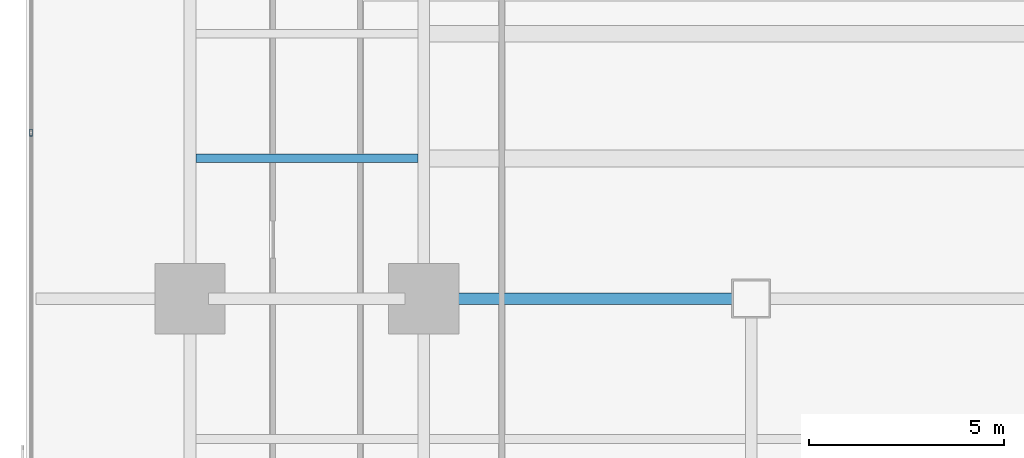
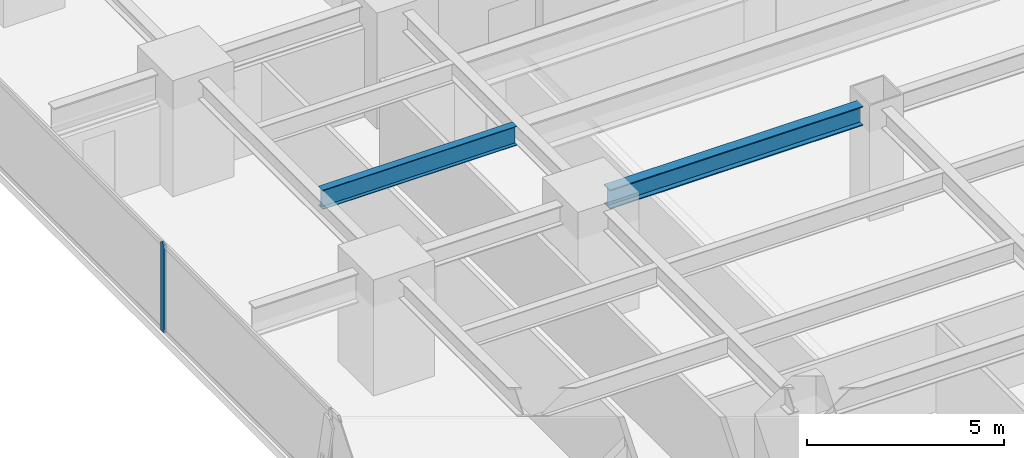
# One storey, part 9 of 33: 2 beams, 1 member, 1 element without a shape of its own.
"""IFC4 building model written with IfcOpenShell, lengths in metres."""

from ifc_helpers import new_model, si_unit, direction, frame, origin, origin_2d, place, context, subcontext, project, spatial, hollow_rectangle, i_section, extrude, source, transform, mapped, material, layer, layer_set, material_profile, profile_set, type_object, element, aggregate, save


model = new_model("IFC4")

# Units and contexts
model_context = context("Model", 3, precision=1e-05, world=origin(), true_north=direction((0.0, 1.0)))
body_context = subcontext(model_context, "Body", "Model", "MODEL_VIEW")
ifc_project = project(units=[si_unit("LENGTHUNIT", "METRE"), si_unit("AREAUNIT", "SQUARE_METRE"), si_unit("VOLUMEUNIT", "CUBIC_METRE"), si_unit("PLANEANGLEUNIT", "RADIAN"), si_unit("MASSUNIT", "GRAM", prefix="KILO")], contexts=[model_context])

# Site, building, storey
site_placement = place(None, origin())
site = spatial("IfcSite", under=ifc_project, at=site_placement, CompositionType="ELEMENT")
building_placement = place(site_placement, origin())
building = spatial("IfcBuilding", under=site, at=building_placement, Name="Sumidabori Civic Tower", CompositionType="ELEMENT")
storey_placement = place(building_placement, frame((0.0, 0.0, 38.0)))
storey = spatial("IfcBuildingStorey", under=building, at=storey_placement, Name="L09", CompositionType="ELEMENT", Elevation=38.0)

# Beams
ifc_material_1 = material(Name="Steel SN490", Category="steel")
ifc_material_profile_1 = material_profile(ifc_material_1, i_section(OverallWidth=0.300048828125, OverallDepth=0.60009765625, WebThickness=0.015380859375, FlangeThickness=0.030029296875, at=origin_2d()), Name="HE 600 B")
ifc_profile_set_1 = profile_set([ifc_material_profile_1], Name="Steel SN490")
beam_type_1 = type_object("IfcBeamType", Name="BM-GIRD-600", PredefinedType="BEAM", material=ifc_profile_set_1)
shared_shape_1 = source(origin(), body_context, "Body", "SweptSolid", [
    extrude(i_section(OverallWidth=0.300048828125, OverallDepth=0.60009765625, WebThickness=0.015380859375, FlangeThickness=0.030029296875, at=origin_2d()), origin(), (0.0, 0.0, 1.0), 7.440185546875),
])
beam_1_placement = place(storey_placement, frame((-16.320068359375, 0.0, 3.06005859375), z_axis=(1.0, 0.0, 0.0), x_axis=(0.0, 1.0, 0.0)))
element("IfcBeam", 1, at=beam_1_placement, inside=storey, type_object=beam_type_1, Name="Primary Girder L09 GX-14", PredefinedType="BEAM", context=body_context, shape_type="MappedRepresentation", body=[
    mapped(shared_shape_1, transform((0.0, 0.0, 0.0), x_axis=(1.0, 0.0, 0.0), y_axis=(0.0, 1.0, 0.0), z_axis=(0.0, 0.0, 1.0), scale=1.0)),
])
ifc_material_profile_2 = material_profile(ifc_material_1, i_section(OverallWidth=0.219970703125, OverallDepth=0.60009765625, WebThickness=0.011962890625, FlangeThickness=0.01904296875, at=origin_2d()), Name="IPE 600")
ifc_profile_set_2 = profile_set([ifc_material_profile_2], Name="Steel SN490")
beam_type_2 = type_object("IfcBeamType", Name="BM-JST-600", PredefinedType="JOIST", material=ifc_profile_set_2)
shared_shape_2 = source(origin(), body_context, "Body", "SweptSolid", [
    extrude(i_section(OverallWidth=0.219970703125, OverallDepth=0.60009765625, WebThickness=0.011962890625, FlangeThickness=0.01904296875, at=origin_2d()), origin(), (0.0, 0.0, 1.0), 5.699951171875),
])
beam_2_placement = place(storey_placement, frame((-22.64990234375, 3.60009765625, 3.06005859375), z_axis=(1.0, 0.0, 0.0), x_axis=(0.0, 1.0, 0.0)))
element("IfcBeam", 2, at=beam_2_placement, inside=storey, type_object=beam_type_2, Name="Outer Bay Floor Joist L09 JSTO-53", PredefinedType="JOIST", context=body_context, shape_type="MappedRepresentation", body=[
    mapped(shared_shape_2, transform((0.0, 0.0, 0.0), x_axis=(1.0, 0.0, 0.0), y_axis=(0.0, 1.0, 0.0), z_axis=(0.0, 0.0, 1.0), scale=1.0)),
])

# Curtain wall, member
ifc_material_2 = material(Name="Anodised Bronze Aluminium AW-6063-T6", Category="aluminium")
ifc_layer = layer(ifc_material_2, 0.179931640625, Name="Anodised Bronze Aluminium AW-6063-T6")
ifc_layer_set = layer_set([ifc_layer], Name="Anodised Bronze Aluminium AW-6063-T6")
curtain_wall_type = type_object("IfcCurtainWallType", Name="CW-SYS-2", PredefinedType="NOTDEFINED", material=ifc_layer_set)
curtain_wall_placement = place(storey_placement, origin())
curtain_wall = element("IfcCurtainWall", 3, at=curtain_wall_placement, inside=storey, type_object=curtain_wall_type, Name="Curtain Wall CW:L09:R10", PredefinedType="NOTDEFINED")
ifc_material_profile_3 = material_profile(ifc_material_2, hollow_rectangle(XDim=0.070068359375, YDim=0.179931640625, WallThickness=0.006103515625, at=origin_2d()), Name="ALU MULLION 180x70")
ifc_profile_set_3 = profile_set([ifc_material_profile_3], Name="Anodised Bronze Aluminium AW-6063-T6")
member_type = type_object("IfcMemberType", Name="CW-MUL-180", PredefinedType="MULLION", material=ifc_profile_set_3)
shared_shape_3 = source(origin(), body_context, "Body", "SweptSolid", [
    extrude(hollow_rectangle(XDim=0.070068359375, YDim=0.179931640625, WallThickness=0.006103515625, at=origin_2d()), origin(), (0.0, 0.0, 1.0), 2.739990234375),
])
member_placement = place(storey_placement, frame((-26.8798828125, 4.263916015625, 0.0), z_axis=(0.0, 0.0, 1.0), x_axis=(1.0, 0.0, 0.0)))
member = element("IfcMember", 4, at=member_placement, type_object=member_type, Name="CW-2 mullion 3", PredefinedType="MULLION", context=body_context, shape_type="MappedRepresentation", body=[
    mapped(shared_shape_3, transform((0.0, 0.0, 0.0), x_axis=(1.0, 0.0, 0.0), y_axis=(0.0, 1.0, 0.0), z_axis=(0.0, 0.0, 1.0), scale=1.0)),
])
aggregate(curtain_wall, [member])

save(model, "model.ifc")
